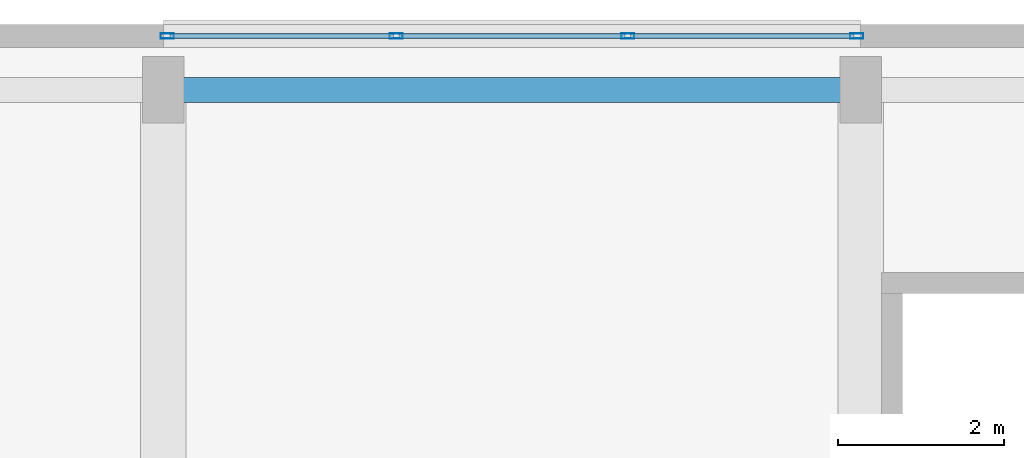
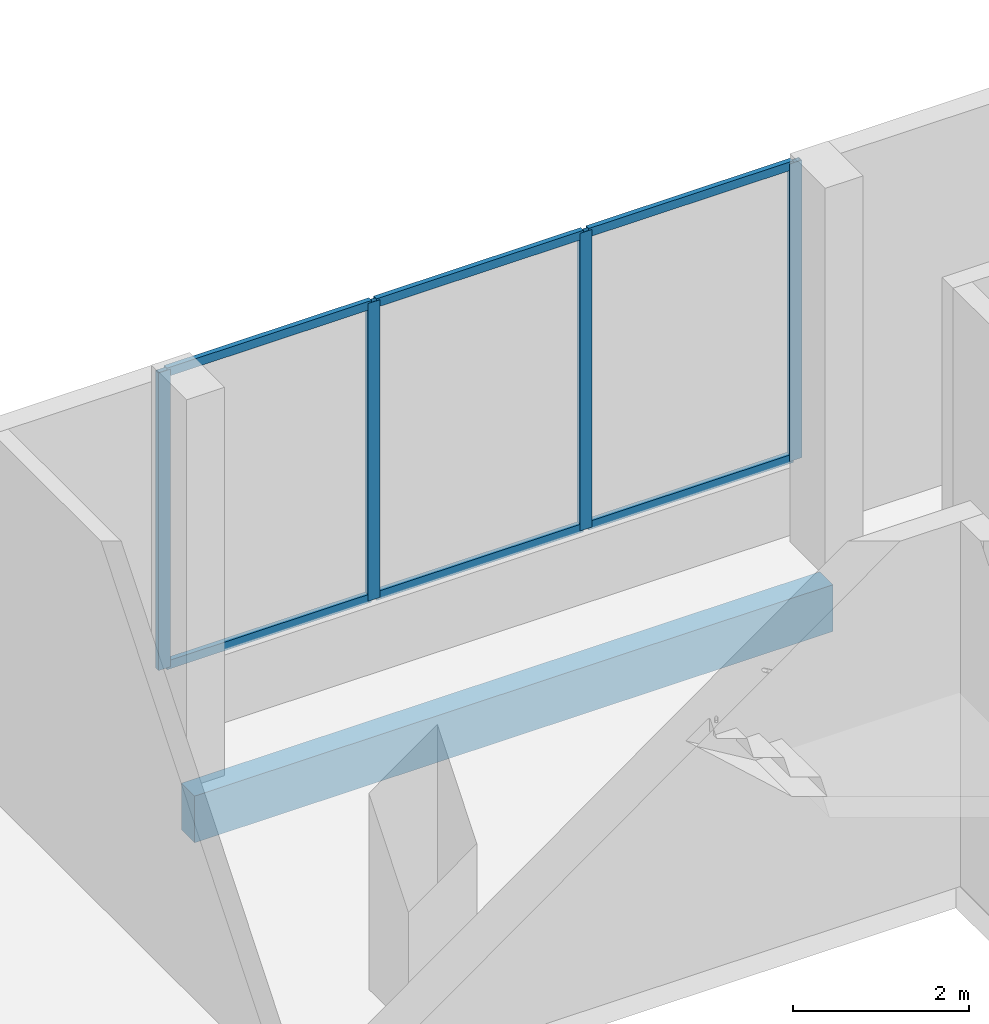
# One storey, part 90 of 158: 10 members, 1 beam, 1 element without a shape of its own.
"""IFC4 building model written with IfcOpenShell, lengths in metres."""

from ifc_helpers import new_model, si_unit, direction, frame, origin, origin_2d, place, context, subcontext, project, spatial, rectangle, hollow_rectangle, extrude, material, material_profile, profile_set, type_object, element, aggregate, save


model = new_model("IFC4")

# Units and contexts
model_context = context("Model", 3, precision=1e-05, world=origin(), true_north=direction((0.0, 1.0)))
body_context = subcontext(model_context, "Body", "Model", "MODEL_VIEW")
ifc_project = project(units=[si_unit("LENGTHUNIT", "METRE"), si_unit("AREAUNIT", "SQUARE_METRE"), si_unit("VOLUMEUNIT", "CUBIC_METRE"), si_unit("PLANEANGLEUNIT", "RADIAN"), si_unit("MASSUNIT", "GRAM", prefix="KILO")], contexts=[model_context])

# Site, building, storey
site_placement = place(None, origin())
site = spatial("IfcSite", under=ifc_project, at=site_placement, CompositionType="ELEMENT")
building_placement = place(site_placement, origin())
building = spatial("IfcBuilding", under=site, at=building_placement, Name="Selatvlak General Hospital", CompositionType="ELEMENT")
storey_placement = place(building_placement, origin())
storey = spatial("IfcBuildingStorey", under=building, at=storey_placement, Name="L00", CompositionType="ELEMENT", Elevation=0.0)

# Beam
ifc_material_1 = material(Name="Concrete C40/50", Category="concrete")
ifc_material_profile_1 = material_profile(ifc_material_1, rectangle(XDim=0.300048828125, YDim=0.64990234375, at=origin_2d()), Name="RC-SP 300x650")
ifc_profile_set_1 = profile_set([ifc_material_profile_1], Name="Concrete C40/50")
beam_type = type_object("IfcBeamType", Name="BM-SP1", PredefinedType="SPANDREL", material=ifc_profile_set_1)
beam_placement = place(storey_placement, frame((90.0, 119.35009765625, -0.675048828125), z_axis=(1.0, 0.0, 0.0), x_axis=(0.0, 1.0, 0.0)))
element("IfcBeam", 1, at=beam_placement, inside=storey, type_object=beam_type, Name="Beam BMR-L00-0153", PredefinedType="SPANDREL", context=body_context, shape_type="SweptSolid", body=[
    extrude(rectangle(XDim=0.300048828125, YDim=0.64990234375, at=origin_2d()), origin(), (0.0, 0.0, 1.0), 8.39990234375),
])

# Curtain wall, members
ifc_material_2 = material(Name="Solar-control Low-E double glazing", Category="glass")
curtain_wall_type = type_object("IfcCurtainWallType", Name="CW-CW-01", PredefinedType="USERDEFINED", material=ifc_material_2)
curtain_wall_placement = place(storey_placement, origin())
curtain_wall = element("IfcCurtainWall", 2, at=curtain_wall_placement, inside=storey, type_object=curtain_wall_type, Name="Glazed facade curtain wall CW-L00-0007", ObjectType="UNITISED CURTAIN WALL", PredefinedType="USERDEFINED")
ifc_material_3 = material(Name="Dark anodised aluminium mullion", Category="aluminium")
ifc_material_profile_2 = material_profile(ifc_material_3, hollow_rectangle(XDim=0.06494140625, YDim=0.159912109375, WallThickness=0.00390625, at=origin_2d()), Name="AL-MUL 65x160x4")
ifc_profile_set_2 = profile_set([ifc_material_profile_2], Name="Dark anodised aluminium mullion")
member_type_1 = type_object("IfcMemberType", Name="CWM-01", PredefinedType="MULLION", material=ifc_profile_set_2)
member_1_placement = place(storey_placement, frame((90.04638671875, 120.0, 0.93994140625), z_axis=(0.0, 0.0, 1.0), x_axis=(0.0, 1.0, 0.0)))
member_1 = element("IfcMember", 3, at=member_1_placement, type_object=member_type_1, Name="CW-01 mullion 1", PredefinedType="MULLION", context=body_context, shape_type="SweptSolid", body=[
    extrude(hollow_rectangle(XDim=0.06494140625, YDim=0.159912109375, WallThickness=0.00390625, at=origin_2d()), origin(), (0.0, 0.0, 1.0), 4.14013671875),
])
member_2_placement = place(storey_placement, frame((92.803955078125, 120.0, 0.93994140625), z_axis=(0.0, 0.0, 1.0), x_axis=(0.0, 1.0, 0.0)))
member_2 = element("IfcMember", 4, at=member_2_placement, type_object=member_type_1, Name="CW-01 mullion 2", PredefinedType="MULLION", context=body_context, shape_type="SweptSolid", body=[
    extrude(hollow_rectangle(XDim=0.06494140625, YDim=0.159912109375, WallThickness=0.00390625, at=origin_2d()), origin(), (0.0, 0.0, 1.0), 4.14013671875),
])
member_3_placement = place(storey_placement, frame((95.593994140625, 120.0, 0.93994140625), z_axis=(0.0, 0.0, 1.0), x_axis=(0.0, 1.0, 0.0)))
member_3 = element("IfcMember", 5, at=member_3_placement, type_object=member_type_1, Name="CW-01 mullion 3", PredefinedType="MULLION", context=body_context, shape_type="SweptSolid", body=[
    extrude(hollow_rectangle(XDim=0.06494140625, YDim=0.159912109375, WallThickness=0.00390625, at=origin_2d()), origin(), (0.0, 0.0, 1.0), 4.14013671875),
])
member_4_placement = place(storey_placement, frame((98.3515625, 120.0, 0.93994140625), z_axis=(0.0, 0.0, 1.0), x_axis=(0.0, 1.0, 0.0)))
member_4 = element("IfcMember", 6, at=member_4_placement, type_object=member_type_1, Name="CW-01 mullion 4", PredefinedType="MULLION", context=body_context, shape_type="SweptSolid", body=[
    extrude(hollow_rectangle(XDim=0.06494140625, YDim=0.159912109375, WallThickness=0.00390625, at=origin_2d()), origin(), (0.0, 0.0, 1.0), 4.14013671875),
])
ifc_material_profile_3 = material_profile(ifc_material_3, hollow_rectangle(XDim=0.06494140625, YDim=0.1201171875, WallThickness=0.00390625, at=origin_2d()), Name="AL-TRN 65x120x4")
ifc_profile_set_3 = profile_set([ifc_material_profile_3], Name="Dark anodised aluminium mullion")
member_type_2 = type_object("IfcMemberType", Name="CWT-01", PredefinedType="USERDEFINED", material=ifc_profile_set_3)
member_5_placement = place(storey_placement, frame((90.0791015625, 120.0, 0.972412109375), z_axis=(1.0, 0.0, 0.0), x_axis=(0.0, 1.0, 0.0)))
member_5 = element("IfcMember", 7, at=member_5_placement, type_object=member_type_2, Name="CW-01 transom 1.1", ObjectType="TRANSOM", PredefinedType="USERDEFINED", context=body_context, shape_type="SweptSolid", body=[
    extrude(hollow_rectangle(XDim=0.06494140625, YDim=0.1201171875, WallThickness=0.00390625, at=origin_2d()), origin(), (0.0, 0.0, 1.0), 2.6923828125),
])
member_6_placement = place(storey_placement, frame((90.0791015625, 120.0, 5.047607421875), z_axis=(1.0, 0.0, 0.0), x_axis=(0.0, 1.0, 0.0)))
member_6 = element("IfcMember", 8, at=member_6_placement, type_object=member_type_2, Name="CW-01 transom 1.2", ObjectType="TRANSOM", PredefinedType="USERDEFINED", context=body_context, shape_type="SweptSolid", body=[
    extrude(hollow_rectangle(XDim=0.06494140625, YDim=0.1201171875, WallThickness=0.00390625, at=origin_2d()), origin(), (0.0, 0.0, 1.0), 2.6923828125),
])
member_7_placement = place(storey_placement, frame((92.83642578125, 120.0, 0.972412109375), z_axis=(1.0, 0.0, 0.0), x_axis=(0.0, 1.0, 0.0)))
member_7 = element("IfcMember", 9, at=member_7_placement, type_object=member_type_2, Name="CW-01 transom 2.1", ObjectType="TRANSOM", PredefinedType="USERDEFINED", context=body_context, shape_type="SweptSolid", body=[
    extrude(hollow_rectangle(XDim=0.06494140625, YDim=0.1201171875, WallThickness=0.00390625, at=origin_2d()), origin(), (0.0, 0.0, 1.0), 2.72509765625),
])
member_8_placement = place(storey_placement, frame((92.83642578125, 120.0, 5.047607421875), z_axis=(1.0, 0.0, 0.0), x_axis=(0.0, 1.0, 0.0)))
member_8 = element("IfcMember", 10, at=member_8_placement, type_object=member_type_2, Name="CW-01 transom 2.2", ObjectType="TRANSOM", PredefinedType="USERDEFINED", context=body_context, shape_type="SweptSolid", body=[
    extrude(hollow_rectangle(XDim=0.06494140625, YDim=0.1201171875, WallThickness=0.00390625, at=origin_2d()), origin(), (0.0, 0.0, 1.0), 2.72509765625),
])
member_9_placement = place(storey_placement, frame((95.62646484375, 120.0, 0.972412109375), z_axis=(1.0, 0.0, 0.0), x_axis=(0.0, 1.0, 0.0)))
member_9 = element("IfcMember", 11, at=member_9_placement, type_object=member_type_2, Name="CW-01 transom 3.1", ObjectType="TRANSOM", PredefinedType="USERDEFINED", context=body_context, shape_type="SweptSolid", body=[
    extrude(hollow_rectangle(XDim=0.06494140625, YDim=0.1201171875, WallThickness=0.00390625, at=origin_2d()), origin(), (0.0, 0.0, 1.0), 2.692626953125),
])
member_10_placement = place(storey_placement, frame((95.62646484375, 120.0, 5.047607421875), z_axis=(1.0, 0.0, 0.0), x_axis=(0.0, 1.0, 0.0)))
member_10 = element("IfcMember", 12, at=member_10_placement, type_object=member_type_2, Name="CW-01 transom 3.2", ObjectType="TRANSOM", PredefinedType="USERDEFINED", context=body_context, shape_type="SweptSolid", body=[
    extrude(hollow_rectangle(XDim=0.06494140625, YDim=0.1201171875, WallThickness=0.00390625, at=origin_2d()), origin(), (0.0, 0.0, 1.0), 2.692626953125),
])
aggregate(curtain_wall, [member_1, member_2, member_3, member_4, member_5, member_6, member_7, member_8, member_9, member_10])

save(model, "model.ifc")
